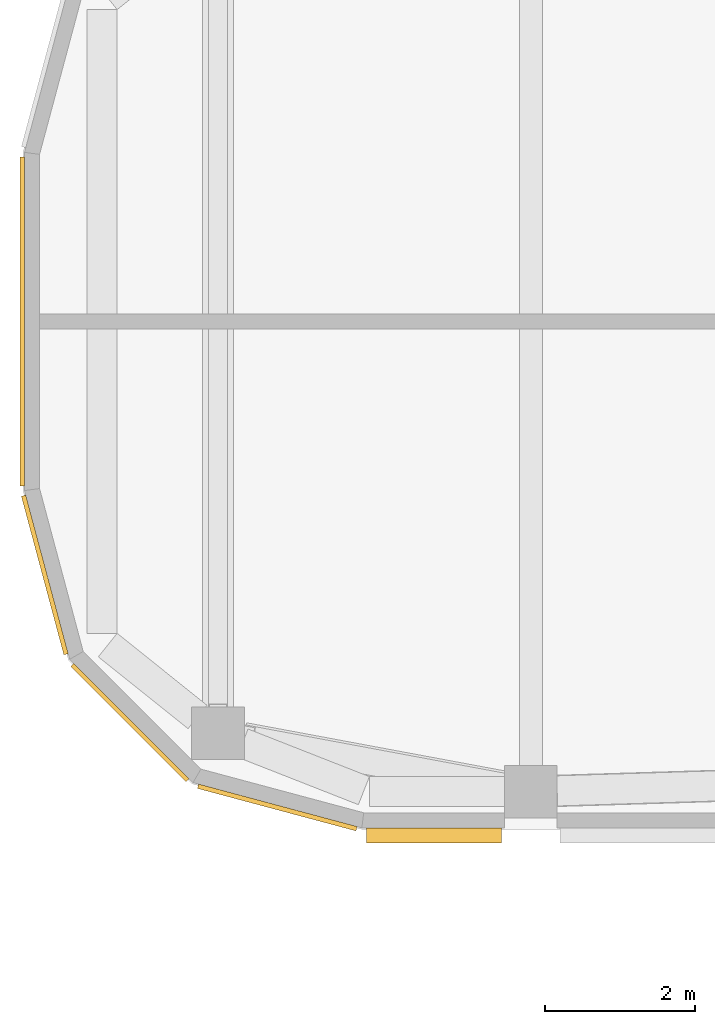
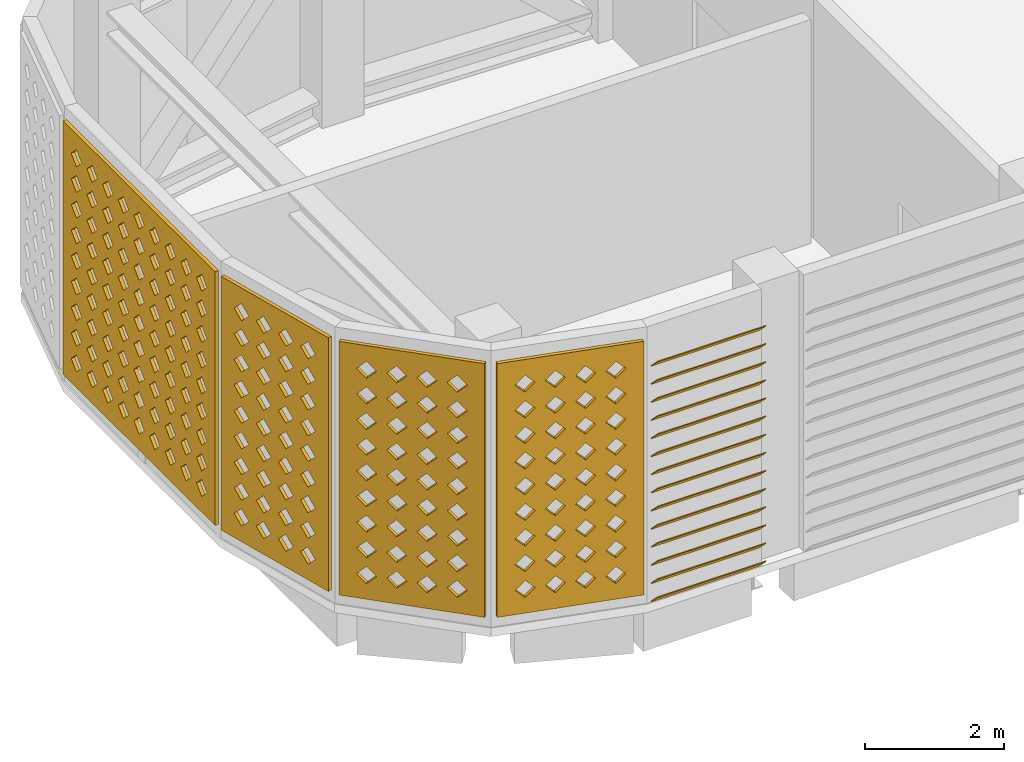
# One storey, part 11 of 20: 4 coverings, 1 shading device.
"""IFC4 building model written with IfcOpenShell, lengths in metres."""

from ifc_helpers import new_model, si_unit, direction, frame, origin, place, context, subcontext, project, spatial, polyline, outline, extrude, source, transform, mapped, material, layer, layer_set, type_object, element, save


model = new_model("IFC4")

# Units and contexts
model_context = context("Model", 3, precision=1e-05, world=origin(), true_north=direction((0.0, 1.0)))
body_context = subcontext(model_context, "Body", "Model", "MODEL_VIEW")
ifc_project = project(units=[si_unit("LENGTHUNIT", "METRE"), si_unit("AREAUNIT", "SQUARE_METRE"), si_unit("VOLUMEUNIT", "CUBIC_METRE"), si_unit("PLANEANGLEUNIT", "RADIAN"), si_unit("MASSUNIT", "GRAM", prefix="KILO")], contexts=[model_context])

# Site, building, storey
site_placement = place(None, origin())
site = spatial("IfcSite", under=ifc_project, at=site_placement, CompositionType="ELEMENT")
building_placement = place(site_placement, origin())
building = spatial("IfcBuilding", under=site, at=building_placement, Name="Zarbagh Exchange Tower", CompositionType="ELEMENT")
storey_placement = place(building_placement, frame((0.0, 0.0, 244.800048828125)))
storey = spatial("IfcBuildingStorey", under=building, at=storey_placement, Name="L60", CompositionType="ELEMENT", Elevation=244.800048828125)

# Coverings
ifc_material_1 = material(Name="Glass-fibre reinforced concrete GFRC C50/60", Category="concrete")
ifc_layer = layer(ifc_material_1, 0.06005859375)
ifc_layer_set = layer_set([ifc_layer], Name="SCREEN jali panel, GFRC")
covering_type = type_object("IfcCoveringType", Name="SCREEN jali panel, GFRC", PredefinedType="CLADDING", material=ifc_layer_set)
shared_shape_1 = source(origin(), body_context, "Body", "SweptSolid", [
    extrude(outline(polyline([(0.0, 0.0), (2.1650390625, 0.0), (2.1650390625, 4.449951171875), (0.0, 4.449951171875), (0.0, 0.0)]), holes=[polyline([(0.257568359375, 0.425048828125), (0.407470703125, 0.27490234375), (0.5576171875, 0.425048828125), (0.407470703125, 0.574951171875), (0.257568359375, 0.425048828125)]), polyline([(0.257568359375, 0.875), (0.407470703125, 0.72509765625), (0.5576171875, 0.875), (0.407470703125, 1.02490234375), (0.257568359375, 0.875)]), polyline([(0.257568359375, 1.324951171875), (0.407470703125, 1.175048828125), (0.5576171875, 1.324951171875), (0.407470703125, 1.47509765625), (0.257568359375, 1.324951171875)]), polyline([(0.257568359375, 1.77490234375), (0.407470703125, 1.625), (0.5576171875, 1.77490234375), (0.407470703125, 1.925048828125), (0.257568359375, 1.77490234375)]), polyline([(0.257568359375, 2.22509765625), (0.407470703125, 2.074951171875), (0.5576171875, 2.22509765625), (0.407470703125, 2.375), (0.257568359375, 2.22509765625)]), polyline([(0.257568359375, 2.675048828125), (0.407470703125, 2.52490234375), (0.5576171875, 2.675048828125), (0.407470703125, 2.824951171875), (0.257568359375, 2.675048828125)]), polyline([(0.257568359375, 3.125), (0.407470703125, 2.97509765625), (0.5576171875, 3.125), (0.407470703125, 3.27490234375), (0.257568359375, 3.125)]), polyline([(0.257568359375, 3.574951171875), (0.407470703125, 3.425048828125), (0.5576171875, 3.574951171875), (0.407470703125, 3.72509765625), (0.257568359375, 3.574951171875)]), polyline([(0.257568359375, 4.02490234375), (0.407470703125, 3.875), (0.5576171875, 4.02490234375), (0.407470703125, 4.175048828125), (0.257568359375, 4.02490234375)]), polyline([(0.70751953125, 0.425048828125), (0.857421875, 0.27490234375), (1.007568359375, 0.425048828125), (0.857421875, 0.574951171875), (0.70751953125, 0.425048828125)]), polyline([(0.70751953125, 0.875), (0.857421875, 0.72509765625), (1.007568359375, 0.875), (0.857421875, 1.02490234375), (0.70751953125, 0.875)]), polyline([(0.70751953125, 1.324951171875), (0.857421875, 1.175048828125), (1.007568359375, 1.324951171875), (0.857421875, 1.47509765625), (0.70751953125, 1.324951171875)]), polyline([(0.70751953125, 1.77490234375), (0.857421875, 1.625), (1.007568359375, 1.77490234375), (0.857421875, 1.925048828125), (0.70751953125, 1.77490234375)]), polyline([(0.70751953125, 2.22509765625), (0.857421875, 2.074951171875), (1.007568359375, 2.22509765625), (0.857421875, 2.375), (0.70751953125, 2.22509765625)]), polyline([(0.70751953125, 2.675048828125), (0.857421875, 2.52490234375), (1.007568359375, 2.675048828125), (0.857421875, 2.824951171875), (0.70751953125, 2.675048828125)]), polyline([(0.70751953125, 3.125), (0.857421875, 2.97509765625), (1.007568359375, 3.125), (0.857421875, 3.27490234375), (0.70751953125, 3.125)]), polyline([(0.70751953125, 3.574951171875), (0.857421875, 3.425048828125), (1.007568359375, 3.574951171875), (0.857421875, 3.72509765625), (0.70751953125, 3.574951171875)]), polyline([(0.70751953125, 4.02490234375), (0.857421875, 3.875), (1.007568359375, 4.02490234375), (0.857421875, 4.175048828125), (0.70751953125, 4.02490234375)]), polyline([(1.157470703125, 0.425048828125), (1.3076171875, 0.27490234375), (1.45751953125, 0.425048828125), (1.3076171875, 0.574951171875), (1.157470703125, 0.425048828125)]), polyline([(1.157470703125, 0.875), (1.3076171875, 0.72509765625), (1.45751953125, 0.875), (1.3076171875, 1.02490234375), (1.157470703125, 0.875)]), polyline([(1.157470703125, 1.324951171875), (1.3076171875, 1.175048828125), (1.45751953125, 1.324951171875), (1.3076171875, 1.47509765625), (1.157470703125, 1.324951171875)]), polyline([(1.157470703125, 1.77490234375), (1.3076171875, 1.625), (1.45751953125, 1.77490234375), (1.3076171875, 1.925048828125), (1.157470703125, 1.77490234375)]), polyline([(1.157470703125, 2.22509765625), (1.3076171875, 2.074951171875), (1.45751953125, 2.22509765625), (1.3076171875, 2.375), (1.157470703125, 2.22509765625)]), polyline([(1.157470703125, 2.675048828125), (1.3076171875, 2.52490234375), (1.45751953125, 2.675048828125), (1.3076171875, 2.824951171875), (1.157470703125, 2.675048828125)]), polyline([(1.157470703125, 3.125), (1.3076171875, 2.97509765625), (1.45751953125, 3.125), (1.3076171875, 3.27490234375), (1.157470703125, 3.125)]), polyline([(1.157470703125, 3.574951171875), (1.3076171875, 3.425048828125), (1.45751953125, 3.574951171875), (1.3076171875, 3.72509765625), (1.157470703125, 3.574951171875)]), polyline([(1.157470703125, 4.02490234375), (1.3076171875, 3.875), (1.45751953125, 4.02490234375), (1.3076171875, 4.175048828125), (1.157470703125, 4.02490234375)]), polyline([(1.607421875, 0.425048828125), (1.757568359375, 0.27490234375), (1.907470703125, 0.425048828125), (1.757568359375, 0.574951171875), (1.607421875, 0.425048828125)]), polyline([(1.607421875, 0.875), (1.757568359375, 0.72509765625), (1.907470703125, 0.875), (1.757568359375, 1.02490234375), (1.607421875, 0.875)]), polyline([(1.607421875, 1.324951171875), (1.757568359375, 1.175048828125), (1.907470703125, 1.324951171875), (1.757568359375, 1.47509765625), (1.607421875, 1.324951171875)]), polyline([(1.607421875, 1.77490234375), (1.757568359375, 1.625), (1.907470703125, 1.77490234375), (1.757568359375, 1.925048828125), (1.607421875, 1.77490234375)]), polyline([(1.607421875, 2.22509765625), (1.757568359375, 2.074951171875), (1.907470703125, 2.22509765625), (1.757568359375, 2.375), (1.607421875, 2.22509765625)]), polyline([(1.607421875, 2.675048828125), (1.757568359375, 2.52490234375), (1.907470703125, 2.675048828125), (1.757568359375, 2.824951171875), (1.607421875, 2.675048828125)]), polyline([(1.607421875, 3.125), (1.757568359375, 2.97509765625), (1.907470703125, 3.125), (1.757568359375, 3.27490234375), (1.607421875, 3.125)]), polyline([(1.607421875, 3.574951171875), (1.757568359375, 3.425048828125), (1.907470703125, 3.574951171875), (1.757568359375, 3.72509765625), (1.607421875, 3.574951171875)]), polyline([(1.607421875, 4.02490234375), (1.757568359375, 3.875), (1.907470703125, 4.02490234375), (1.757568359375, 4.175048828125), (1.607421875, 4.02490234375)])]), origin(), (0.0, 0.0, 1.0), 0.06005859375),
])
placement = place(storey_placement, origin())
element("IfcCovering", 1, at=placement, inside=storey, type_object=covering_type, Name="JS63 jali screen", PredefinedType="CLADDING", context=body_context, shape_type="MappedRepresentation", body=[
    mapped(shared_shape_1, transform((-30.824951171875, -4.5439453125, 0.199951171875), x_axis=(0.707106781187, -0.707106781187, 0.0), y_axis=(0.0, 0.0, 1.0), z_axis=(-0.707106781187, -0.707106781187, 0.0))),
])
shared_shape_2 = source(origin(), body_context, "Body", "SweptSolid", [
    extrude(outline(polyline([(0.0, 0.0), (2.181396484375, 0.0), (2.181396484375, 4.449951171875), (0.0, 4.449951171875), (0.0, 0.0)]), holes=[polyline([(0.265625, 0.425048828125), (0.415771484375, 0.27490234375), (0.565673828125, 0.425048828125), (0.415771484375, 0.574951171875), (0.265625, 0.425048828125)]), polyline([(0.265625, 0.875), (0.415771484375, 0.72509765625), (0.565673828125, 0.875), (0.415771484375, 1.02490234375), (0.265625, 0.875)]), polyline([(0.265625, 1.324951171875), (0.415771484375, 1.175048828125), (0.565673828125, 1.324951171875), (0.415771484375, 1.47509765625), (0.265625, 1.324951171875)]), polyline([(0.265625, 1.77490234375), (0.415771484375, 1.625), (0.565673828125, 1.77490234375), (0.415771484375, 1.925048828125), (0.265625, 1.77490234375)]), polyline([(0.265625, 2.22509765625), (0.415771484375, 2.074951171875), (0.565673828125, 2.22509765625), (0.415771484375, 2.375), (0.265625, 2.22509765625)]), polyline([(0.265625, 2.675048828125), (0.415771484375, 2.52490234375), (0.565673828125, 2.675048828125), (0.415771484375, 2.824951171875), (0.265625, 2.675048828125)]), polyline([(0.265625, 3.125), (0.415771484375, 2.97509765625), (0.565673828125, 3.125), (0.415771484375, 3.27490234375), (0.265625, 3.125)]), polyline([(0.265625, 3.574951171875), (0.415771484375, 3.425048828125), (0.565673828125, 3.574951171875), (0.415771484375, 3.72509765625), (0.265625, 3.574951171875)]), polyline([(0.265625, 4.02490234375), (0.415771484375, 3.875), (0.565673828125, 4.02490234375), (0.415771484375, 4.175048828125), (0.265625, 4.02490234375)]), polyline([(0.7158203125, 0.425048828125), (0.86572265625, 0.27490234375), (1.015625, 0.425048828125), (0.86572265625, 0.574951171875), (0.7158203125, 0.425048828125)]), polyline([(0.7158203125, 0.875), (0.86572265625, 0.72509765625), (1.015625, 0.875), (0.86572265625, 1.02490234375), (0.7158203125, 0.875)]), polyline([(0.7158203125, 1.324951171875), (0.86572265625, 1.175048828125), (1.015625, 1.324951171875), (0.86572265625, 1.47509765625), (0.7158203125, 1.324951171875)]), polyline([(0.7158203125, 1.77490234375), (0.86572265625, 1.625), (1.015625, 1.77490234375), (0.86572265625, 1.925048828125), (0.7158203125, 1.77490234375)]), polyline([(0.7158203125, 2.22509765625), (0.86572265625, 2.074951171875), (1.015625, 2.22509765625), (0.86572265625, 2.375), (0.7158203125, 2.22509765625)]), polyline([(0.7158203125, 2.675048828125), (0.86572265625, 2.52490234375), (1.015625, 2.675048828125), (0.86572265625, 2.824951171875), (0.7158203125, 2.675048828125)]), polyline([(0.7158203125, 3.125), (0.86572265625, 2.97509765625), (1.015625, 3.125), (0.86572265625, 3.27490234375), (0.7158203125, 3.125)]), polyline([(0.7158203125, 3.574951171875), (0.86572265625, 3.425048828125), (1.015625, 3.574951171875), (0.86572265625, 3.72509765625), (0.7158203125, 3.574951171875)]), polyline([(0.7158203125, 4.02490234375), (0.86572265625, 3.875), (1.015625, 4.02490234375), (0.86572265625, 4.175048828125), (0.7158203125, 4.02490234375)]), polyline([(1.165771484375, 0.425048828125), (1.315673828125, 0.27490234375), (1.4658203125, 0.425048828125), (1.315673828125, 0.574951171875), (1.165771484375, 0.425048828125)]), polyline([(1.165771484375, 0.875), (1.315673828125, 0.72509765625), (1.4658203125, 0.875), (1.315673828125, 1.02490234375), (1.165771484375, 0.875)]), polyline([(1.165771484375, 1.324951171875), (1.315673828125, 1.175048828125), (1.4658203125, 1.324951171875), (1.315673828125, 1.47509765625), (1.165771484375, 1.324951171875)]), polyline([(1.165771484375, 1.77490234375), (1.315673828125, 1.625), (1.4658203125, 1.77490234375), (1.315673828125, 1.925048828125), (1.165771484375, 1.77490234375)]), polyline([(1.165771484375, 2.22509765625), (1.315673828125, 2.074951171875), (1.4658203125, 2.22509765625), (1.315673828125, 2.375), (1.165771484375, 2.22509765625)]), polyline([(1.165771484375, 2.675048828125), (1.315673828125, 2.52490234375), (1.4658203125, 2.675048828125), (1.315673828125, 2.824951171875), (1.165771484375, 2.675048828125)]), polyline([(1.165771484375, 3.125), (1.315673828125, 2.97509765625), (1.4658203125, 3.125), (1.315673828125, 3.27490234375), (1.165771484375, 3.125)]), polyline([(1.165771484375, 3.574951171875), (1.315673828125, 3.425048828125), (1.4658203125, 3.574951171875), (1.315673828125, 3.72509765625), (1.165771484375, 3.574951171875)]), polyline([(1.165771484375, 4.02490234375), (1.315673828125, 3.875), (1.4658203125, 4.02490234375), (1.315673828125, 4.175048828125), (1.165771484375, 4.02490234375)]), polyline([(1.61572265625, 0.425048828125), (1.765625, 0.27490234375), (1.915771484375, 0.425048828125), (1.765625, 0.574951171875), (1.61572265625, 0.425048828125)]), polyline([(1.61572265625, 0.875), (1.765625, 0.72509765625), (1.915771484375, 0.875), (1.765625, 1.02490234375), (1.61572265625, 0.875)]), polyline([(1.61572265625, 1.324951171875), (1.765625, 1.175048828125), (1.915771484375, 1.324951171875), (1.765625, 1.47509765625), (1.61572265625, 1.324951171875)]), polyline([(1.61572265625, 1.77490234375), (1.765625, 1.625), (1.915771484375, 1.77490234375), (1.765625, 1.925048828125), (1.61572265625, 1.77490234375)]), polyline([(1.61572265625, 2.22509765625), (1.765625, 2.074951171875), (1.915771484375, 2.22509765625), (1.765625, 2.375), (1.61572265625, 2.22509765625)]), polyline([(1.61572265625, 2.675048828125), (1.765625, 2.52490234375), (1.915771484375, 2.675048828125), (1.765625, 2.824951171875), (1.61572265625, 2.675048828125)]), polyline([(1.61572265625, 3.125), (1.765625, 2.97509765625), (1.915771484375, 3.125), (1.765625, 3.27490234375), (1.61572265625, 3.125)]), polyline([(1.61572265625, 3.574951171875), (1.765625, 3.425048828125), (1.915771484375, 3.574951171875), (1.765625, 3.72509765625), (1.61572265625, 3.574951171875)]), polyline([(1.61572265625, 4.02490234375), (1.765625, 3.875), (1.915771484375, 4.02490234375), (1.765625, 4.175048828125), (1.61572265625, 4.02490234375)])]), origin(), (0.0, 0.0, 1.0), 0.06005859375),
])
element("IfcCovering", 2, at=placement, inside=storey, type_object=covering_type, Name="JS62 jali screen", PredefinedType="CLADDING", context=body_context, shape_type="MappedRepresentation", body=[
    mapped(shared_shape_2, transform((-31.463623046875, -2.308349609375, 0.199951171875), x_axis=(0.258825057666, -0.965924215207, 0.0), y_axis=(0.0, 0.0, 1.0), z_axis=(-0.965924215207, -0.258825057666, 0.0))),
])
element("IfcCovering", 3, at=placement, inside=storey, type_object=covering_type, Name="JS64 jali screen", PredefinedType="CLADDING", context=body_context, shape_type="MappedRepresentation", body=[
    mapped(shared_shape_2, transform((-29.16552734375, -6.14892578125, 0.199951171875), x_axis=(0.965924215207, -0.258825057666, 0.0), y_axis=(0.0, 0.0, 1.0), z_axis=(-0.258825057666, -0.965924215207, 0.0))),
])

# Shading device
ifc_material_2 = material(Name="Anodised aluminium", Category="aluminium")
shading_device_type = type_object("IfcShadingDeviceType", Name="LOUVRE plant louvre, fixed blades", PredefinedType="USERDEFINED", material=ifc_material_2)
shared_shape_3 = source(origin(), body_context, "Body", "SweptSolid", [
    extrude(outline(polyline([(0.0, 0.199951171875), (0.199951171875, 0.0), (0.199951171875, -0.02001953125), (0.0, 0.179931640625), (0.0, 0.199951171875)])), origin(), (0.0, 0.0, 1.0), 1.794189453125),
])
element("IfcShadingDevice", 4, at=placement, inside=storey, type_object=shading_device_type, Name="LV15 plant louvre", ObjectType="LOUVRE", PredefinedType="USERDEFINED", context=body_context, shape_type="MappedRepresentation", body=[
    mapped(shared_shape_3, transform((-26.93408203125, -6.72998046875, 0.199951171875), x_axis=(0.0, -1.0, 0.0), y_axis=(0.0, 0.0, -1.0), z_axis=(1.0, 0.0, 0.0))),
    mapped(shared_shape_3, transform((-26.93408203125, -6.72998046875, 0.517822265625), x_axis=(0.0, -1.0, 0.0), y_axis=(0.0, 0.0, -1.0), z_axis=(1.0, 0.0, 0.0))),
    mapped(shared_shape_3, transform((-26.93408203125, -6.72998046875, 0.835693359375), x_axis=(0.0, -1.0, 0.0), y_axis=(0.0, 0.0, -1.0), z_axis=(1.0, 0.0, 0.0))),
    mapped(shared_shape_3, transform((-26.93408203125, -6.72998046875, 1.153564453125), x_axis=(0.0, -1.0, 0.0), y_axis=(0.0, 0.0, -1.0), z_axis=(1.0, 0.0, 0.0))),
    mapped(shared_shape_3, transform((-26.93408203125, -6.72998046875, 1.471435546875), x_axis=(0.0, -1.0, 0.0), y_axis=(0.0, 0.0, -1.0), z_axis=(1.0, 0.0, 0.0))),
    mapped(shared_shape_3, transform((-26.93408203125, -6.72998046875, 1.789306640625), x_axis=(0.0, -1.0, 0.0), y_axis=(0.0, 0.0, -1.0), z_axis=(1.0, 0.0, 0.0))),
    mapped(shared_shape_3, transform((-26.93408203125, -6.72998046875, 2.107177734375), x_axis=(0.0, -1.0, 0.0), y_axis=(0.0, 0.0, -1.0), z_axis=(1.0, 0.0, 0.0))),
    mapped(shared_shape_3, transform((-26.93408203125, -6.72998046875, 2.425048828125), x_axis=(0.0, -1.0, 0.0), y_axis=(0.0, 0.0, -1.0), z_axis=(1.0, 0.0, 0.0))),
    mapped(shared_shape_3, transform((-26.93408203125, -6.72998046875, 2.742919921875), x_axis=(0.0, -1.0, 0.0), y_axis=(0.0, 0.0, -1.0), z_axis=(1.0, 0.0, 0.0))),
    mapped(shared_shape_3, transform((-26.93408203125, -6.72998046875, 3.060546875), x_axis=(0.0, -1.0, 0.0), y_axis=(0.0, 0.0, -1.0), z_axis=(1.0, 0.0, 0.0))),
    mapped(shared_shape_3, transform((-26.93408203125, -6.72998046875, 3.37841796875), x_axis=(0.0, -1.0, 0.0), y_axis=(0.0, 0.0, -1.0), z_axis=(1.0, 0.0, 0.0))),
    mapped(shared_shape_3, transform((-26.93408203125, -6.72998046875, 3.6962890625), x_axis=(0.0, -1.0, 0.0), y_axis=(0.0, 0.0, -1.0), z_axis=(1.0, 0.0, 0.0))),
    mapped(shared_shape_3, transform((-26.93408203125, -6.72998046875, 4.01416015625), x_axis=(0.0, -1.0, 0.0), y_axis=(0.0, 0.0, -1.0), z_axis=(1.0, 0.0, 0.0))),
    mapped(shared_shape_3, transform((-26.93408203125, -6.72998046875, 4.33203125), x_axis=(0.0, -1.0, 0.0), y_axis=(0.0, 0.0, -1.0), z_axis=(1.0, 0.0, 0.0))),
])

# Covering
shared_shape_4 = source(origin(), body_context, "Body", "SweptSolid", [
    extrude(outline(polyline([(0.0, 0.0), (4.368408203125, 0.0), (4.368408203125, 4.449951171875), (0.0, 4.449951171875), (0.0, 0.0)]), holes=[polyline([(0.234130859375, 0.425048828125), (0.38427734375, 0.27490234375), (0.5341796875, 0.425048828125), (0.38427734375, 0.574951171875), (0.234130859375, 0.425048828125)]), polyline([(0.234130859375, 0.875), (0.38427734375, 0.72509765625), (0.5341796875, 0.875), (0.38427734375, 1.02490234375), (0.234130859375, 0.875)]), polyline([(0.234130859375, 1.324951171875), (0.38427734375, 1.175048828125), (0.5341796875, 1.324951171875), (0.38427734375, 1.47509765625), (0.234130859375, 1.324951171875)]), polyline([(0.234130859375, 1.77490234375), (0.38427734375, 1.625), (0.5341796875, 1.77490234375), (0.38427734375, 1.925048828125), (0.234130859375, 1.77490234375)]), polyline([(0.234130859375, 2.22509765625), (0.38427734375, 2.074951171875), (0.5341796875, 2.22509765625), (0.38427734375, 2.375), (0.234130859375, 2.22509765625)]), polyline([(0.234130859375, 2.675048828125), (0.38427734375, 2.52490234375), (0.5341796875, 2.675048828125), (0.38427734375, 2.824951171875), (0.234130859375, 2.675048828125)]), polyline([(0.234130859375, 3.125), (0.38427734375, 2.97509765625), (0.5341796875, 3.125), (0.38427734375, 3.27490234375), (0.234130859375, 3.125)]), polyline([(0.234130859375, 3.574951171875), (0.38427734375, 3.425048828125), (0.5341796875, 3.574951171875), (0.38427734375, 3.72509765625), (0.234130859375, 3.574951171875)]), polyline([(0.234130859375, 4.02490234375), (0.38427734375, 3.875), (0.5341796875, 4.02490234375), (0.38427734375, 4.175048828125), (0.234130859375, 4.02490234375)]), polyline([(0.68408203125, 0.425048828125), (0.834228515625, 0.27490234375), (0.984130859375, 0.425048828125), (0.834228515625, 0.574951171875), (0.68408203125, 0.425048828125)]), polyline([(0.68408203125, 0.875), (0.834228515625, 0.72509765625), (0.984130859375, 0.875), (0.834228515625, 1.02490234375), (0.68408203125, 0.875)]), polyline([(0.68408203125, 1.324951171875), (0.834228515625, 1.175048828125), (0.984130859375, 1.324951171875), (0.834228515625, 1.47509765625), (0.68408203125, 1.324951171875)]), polyline([(0.68408203125, 1.77490234375), (0.834228515625, 1.625), (0.984130859375, 1.77490234375), (0.834228515625, 1.925048828125), (0.68408203125, 1.77490234375)]), polyline([(0.68408203125, 2.22509765625), (0.834228515625, 2.074951171875), (0.984130859375, 2.22509765625), (0.834228515625, 2.375), (0.68408203125, 2.22509765625)]), polyline([(0.68408203125, 2.675048828125), (0.834228515625, 2.52490234375), (0.984130859375, 2.675048828125), (0.834228515625, 2.824951171875), (0.68408203125, 2.675048828125)]), polyline([(0.68408203125, 3.125), (0.834228515625, 2.97509765625), (0.984130859375, 3.125), (0.834228515625, 3.27490234375), (0.68408203125, 3.125)]), polyline([(0.68408203125, 3.574951171875), (0.834228515625, 3.425048828125), (0.984130859375, 3.574951171875), (0.834228515625, 3.72509765625), (0.68408203125, 3.574951171875)]), polyline([(0.68408203125, 4.02490234375), (0.834228515625, 3.875), (0.984130859375, 4.02490234375), (0.834228515625, 4.175048828125), (0.68408203125, 4.02490234375)]), polyline([(1.13427734375, 0.425048828125), (1.2841796875, 0.27490234375), (1.43408203125, 0.425048828125), (1.2841796875, 0.574951171875), (1.13427734375, 0.425048828125)]), polyline([(1.13427734375, 0.875), (1.2841796875, 0.72509765625), (1.43408203125, 0.875), (1.2841796875, 1.02490234375), (1.13427734375, 0.875)]), polyline([(1.13427734375, 1.324951171875), (1.2841796875, 1.175048828125), (1.43408203125, 1.324951171875), (1.2841796875, 1.47509765625), (1.13427734375, 1.324951171875)]), polyline([(1.13427734375, 1.77490234375), (1.2841796875, 1.625), (1.43408203125, 1.77490234375), (1.2841796875, 1.925048828125), (1.13427734375, 1.77490234375)]), polyline([(1.13427734375, 2.22509765625), (1.2841796875, 2.074951171875), (1.43408203125, 2.22509765625), (1.2841796875, 2.375), (1.13427734375, 2.22509765625)]), polyline([(1.13427734375, 2.675048828125), (1.2841796875, 2.52490234375), (1.43408203125, 2.675048828125), (1.2841796875, 2.824951171875), (1.13427734375, 2.675048828125)]), polyline([(1.13427734375, 3.125), (1.2841796875, 2.97509765625), (1.43408203125, 3.125), (1.2841796875, 3.27490234375), (1.13427734375, 3.125)]), polyline([(1.13427734375, 3.574951171875), (1.2841796875, 3.425048828125), (1.43408203125, 3.574951171875), (1.2841796875, 3.72509765625), (1.13427734375, 3.574951171875)]), polyline([(1.13427734375, 4.02490234375), (1.2841796875, 3.875), (1.43408203125, 4.02490234375), (1.2841796875, 4.175048828125), (1.13427734375, 4.02490234375)]), polyline([(1.584228515625, 0.425048828125), (1.734130859375, 0.27490234375), (1.88427734375, 0.425048828125), (1.734130859375, 0.574951171875), (1.584228515625, 0.425048828125)]), polyline([(1.584228515625, 0.875), (1.734130859375, 0.72509765625), (1.88427734375, 0.875), (1.734130859375, 1.02490234375), (1.584228515625, 0.875)]), polyline([(1.584228515625, 1.324951171875), (1.734130859375, 1.175048828125), (1.88427734375, 1.324951171875), (1.734130859375, 1.47509765625), (1.584228515625, 1.324951171875)]), polyline([(1.584228515625, 1.77490234375), (1.734130859375, 1.625), (1.88427734375, 1.77490234375), (1.734130859375, 1.925048828125), (1.584228515625, 1.77490234375)]), polyline([(1.584228515625, 2.22509765625), (1.734130859375, 2.074951171875), (1.88427734375, 2.22509765625), (1.734130859375, 2.375), (1.584228515625, 2.22509765625)]), polyline([(1.584228515625, 2.675048828125), (1.734130859375, 2.52490234375), (1.88427734375, 2.675048828125), (1.734130859375, 2.824951171875), (1.584228515625, 2.675048828125)]), polyline([(1.584228515625, 3.125), (1.734130859375, 2.97509765625), (1.88427734375, 3.125), (1.734130859375, 3.27490234375), (1.584228515625, 3.125)]), polyline([(1.584228515625, 3.574951171875), (1.734130859375, 3.425048828125), (1.88427734375, 3.574951171875), (1.734130859375, 3.72509765625), (1.584228515625, 3.574951171875)]), polyline([(1.584228515625, 4.02490234375), (1.734130859375, 3.875), (1.88427734375, 4.02490234375), (1.734130859375, 4.175048828125), (1.584228515625, 4.02490234375)]), polyline([(2.0341796875, 0.425048828125), (2.18408203125, 0.27490234375), (2.334228515625, 0.425048828125), (2.18408203125, 0.574951171875), (2.0341796875, 0.425048828125)]), polyline([(2.0341796875, 0.875), (2.18408203125, 0.72509765625), (2.334228515625, 0.875), (2.18408203125, 1.02490234375), (2.0341796875, 0.875)]), polyline([(2.0341796875, 1.324951171875), (2.18408203125, 1.175048828125), (2.334228515625, 1.324951171875), (2.18408203125, 1.47509765625), (2.0341796875, 1.324951171875)]), polyline([(2.0341796875, 1.77490234375), (2.18408203125, 1.625), (2.334228515625, 1.77490234375), (2.18408203125, 1.925048828125), (2.0341796875, 1.77490234375)]), polyline([(2.0341796875, 2.22509765625), (2.18408203125, 2.074951171875), (2.334228515625, 2.22509765625), (2.18408203125, 2.375), (2.0341796875, 2.22509765625)]), polyline([(2.0341796875, 2.675048828125), (2.18408203125, 2.52490234375), (2.334228515625, 2.675048828125), (2.18408203125, 2.824951171875), (2.0341796875, 2.675048828125)]), polyline([(2.0341796875, 3.125), (2.18408203125, 2.97509765625), (2.334228515625, 3.125), (2.18408203125, 3.27490234375), (2.0341796875, 3.125)]), polyline([(2.0341796875, 3.574951171875), (2.18408203125, 3.425048828125), (2.334228515625, 3.574951171875), (2.18408203125, 3.72509765625), (2.0341796875, 3.574951171875)]), polyline([(2.0341796875, 4.02490234375), (2.18408203125, 3.875), (2.334228515625, 4.02490234375), (2.18408203125, 4.175048828125), (2.0341796875, 4.02490234375)]), polyline([(2.484130859375, 0.425048828125), (2.63427734375, 0.27490234375), (2.7841796875, 0.425048828125), (2.63427734375, 0.574951171875), (2.484130859375, 0.425048828125)]), polyline([(2.484130859375, 0.875), (2.63427734375, 0.72509765625), (2.7841796875, 0.875), (2.63427734375, 1.02490234375), (2.484130859375, 0.875)]), polyline([(2.484130859375, 1.324951171875), (2.63427734375, 1.175048828125), (2.7841796875, 1.324951171875), (2.63427734375, 1.47509765625), (2.484130859375, 1.324951171875)]), polyline([(2.484130859375, 1.77490234375), (2.63427734375, 1.625), (2.7841796875, 1.77490234375), (2.63427734375, 1.925048828125), (2.484130859375, 1.77490234375)]), polyline([(2.484130859375, 2.22509765625), (2.63427734375, 2.074951171875), (2.7841796875, 2.22509765625), (2.63427734375, 2.375), (2.484130859375, 2.22509765625)]), polyline([(2.484130859375, 2.675048828125), (2.63427734375, 2.52490234375), (2.7841796875, 2.675048828125), (2.63427734375, 2.824951171875), (2.484130859375, 2.675048828125)]), polyline([(2.484130859375, 3.125), (2.63427734375, 2.97509765625), (2.7841796875, 3.125), (2.63427734375, 3.27490234375), (2.484130859375, 3.125)]), polyline([(2.484130859375, 3.574951171875), (2.63427734375, 3.425048828125), (2.7841796875, 3.574951171875), (2.63427734375, 3.72509765625), (2.484130859375, 3.574951171875)]), polyline([(2.484130859375, 4.02490234375), (2.63427734375, 3.875), (2.7841796875, 4.02490234375), (2.63427734375, 4.175048828125), (2.484130859375, 4.02490234375)]), polyline([(2.93408203125, 0.425048828125), (3.084228515625, 0.27490234375), (3.234130859375, 0.425048828125), (3.084228515625, 0.574951171875), (2.93408203125, 0.425048828125)]), polyline([(2.93408203125, 0.875), (3.084228515625, 0.72509765625), (3.234130859375, 0.875), (3.084228515625, 1.02490234375), (2.93408203125, 0.875)]), polyline([(2.93408203125, 1.324951171875), (3.084228515625, 1.175048828125), (3.234130859375, 1.324951171875), (3.084228515625, 1.47509765625), (2.93408203125, 1.324951171875)]), polyline([(2.93408203125, 1.77490234375), (3.084228515625, 1.625), (3.234130859375, 1.77490234375), (3.084228515625, 1.925048828125), (2.93408203125, 1.77490234375)]), polyline([(2.93408203125, 2.22509765625), (3.084228515625, 2.074951171875), (3.234130859375, 2.22509765625), (3.084228515625, 2.375), (2.93408203125, 2.22509765625)]), polyline([(2.93408203125, 2.675048828125), (3.084228515625, 2.52490234375), (3.234130859375, 2.675048828125), (3.084228515625, 2.824951171875), (2.93408203125, 2.675048828125)]), polyline([(2.93408203125, 3.125), (3.084228515625, 2.97509765625), (3.234130859375, 3.125), (3.084228515625, 3.27490234375), (2.93408203125, 3.125)]), polyline([(2.93408203125, 3.574951171875), (3.084228515625, 3.425048828125), (3.234130859375, 3.574951171875), (3.084228515625, 3.72509765625), (2.93408203125, 3.574951171875)]), polyline([(2.93408203125, 4.02490234375), (3.084228515625, 3.875), (3.234130859375, 4.02490234375), (3.084228515625, 4.175048828125), (2.93408203125, 4.02490234375)]), polyline([(3.38427734375, 0.425048828125), (3.5341796875, 0.27490234375), (3.68408203125, 0.425048828125), (3.5341796875, 0.574951171875), (3.38427734375, 0.425048828125)]), polyline([(3.38427734375, 0.875), (3.5341796875, 0.72509765625), (3.68408203125, 0.875), (3.5341796875, 1.02490234375), (3.38427734375, 0.875)]), polyline([(3.38427734375, 1.324951171875), (3.5341796875, 1.175048828125), (3.68408203125, 1.324951171875), (3.5341796875, 1.47509765625), (3.38427734375, 1.324951171875)]), polyline([(3.38427734375, 1.77490234375), (3.5341796875, 1.625), (3.68408203125, 1.77490234375), (3.5341796875, 1.925048828125), (3.38427734375, 1.77490234375)]), polyline([(3.38427734375, 2.22509765625), (3.5341796875, 2.074951171875), (3.68408203125, 2.22509765625), (3.5341796875, 2.375), (3.38427734375, 2.22509765625)]), polyline([(3.38427734375, 2.675048828125), (3.5341796875, 2.52490234375), (3.68408203125, 2.675048828125), (3.5341796875, 2.824951171875), (3.38427734375, 2.675048828125)]), polyline([(3.38427734375, 3.125), (3.5341796875, 2.97509765625), (3.68408203125, 3.125), (3.5341796875, 3.27490234375), (3.38427734375, 3.125)]), polyline([(3.38427734375, 3.574951171875), (3.5341796875, 3.425048828125), (3.68408203125, 3.574951171875), (3.5341796875, 3.72509765625), (3.38427734375, 3.574951171875)]), polyline([(3.38427734375, 4.02490234375), (3.5341796875, 3.875), (3.68408203125, 4.02490234375), (3.5341796875, 4.175048828125), (3.38427734375, 4.02490234375)]), polyline([(3.834228515625, 0.425048828125), (3.984130859375, 0.27490234375), (4.13427734375, 0.425048828125), (3.984130859375, 0.574951171875), (3.834228515625, 0.425048828125)]), polyline([(3.834228515625, 0.875), (3.984130859375, 0.72509765625), (4.13427734375, 0.875), (3.984130859375, 1.02490234375), (3.834228515625, 0.875)]), polyline([(3.834228515625, 1.324951171875), (3.984130859375, 1.175048828125), (4.13427734375, 1.324951171875), (3.984130859375, 1.47509765625), (3.834228515625, 1.324951171875)]), polyline([(3.834228515625, 1.77490234375), (3.984130859375, 1.625), (4.13427734375, 1.77490234375), (3.984130859375, 1.925048828125), (3.834228515625, 1.77490234375)]), polyline([(3.834228515625, 2.22509765625), (3.984130859375, 2.074951171875), (4.13427734375, 2.22509765625), (3.984130859375, 2.375), (3.834228515625, 2.22509765625)]), polyline([(3.834228515625, 2.675048828125), (3.984130859375, 2.52490234375), (4.13427734375, 2.675048828125), (3.984130859375, 2.824951171875), (3.834228515625, 2.675048828125)]), polyline([(3.834228515625, 3.125), (3.984130859375, 2.97509765625), (4.13427734375, 3.125), (3.984130859375, 3.27490234375), (3.834228515625, 3.125)]), polyline([(3.834228515625, 3.574951171875), (3.984130859375, 3.425048828125), (4.13427734375, 3.574951171875), (3.984130859375, 3.72509765625), (3.834228515625, 3.574951171875)]), polyline([(3.834228515625, 4.02490234375), (3.984130859375, 3.875), (4.13427734375, 4.02490234375), (3.984130859375, 4.175048828125), (3.834228515625, 4.02490234375)])]), origin(), (0.0, 0.0, 1.0), 0.06005859375),
])
element("IfcCovering", 5, at=placement, inside=storey, type_object=covering_type, Name="JS61 jali screen", PredefinedType="CLADDING", context=body_context, shape_type="MappedRepresentation", body=[
    mapped(shared_shape_4, transform((-31.47998046875, 2.18408203125, 0.199951171875), x_axis=(0.0, -1.0, 0.0), y_axis=(0.0, 0.0, 1.0), z_axis=(-1.0, 0.0, 0.0))),
])

save(model, "model.ifc")
